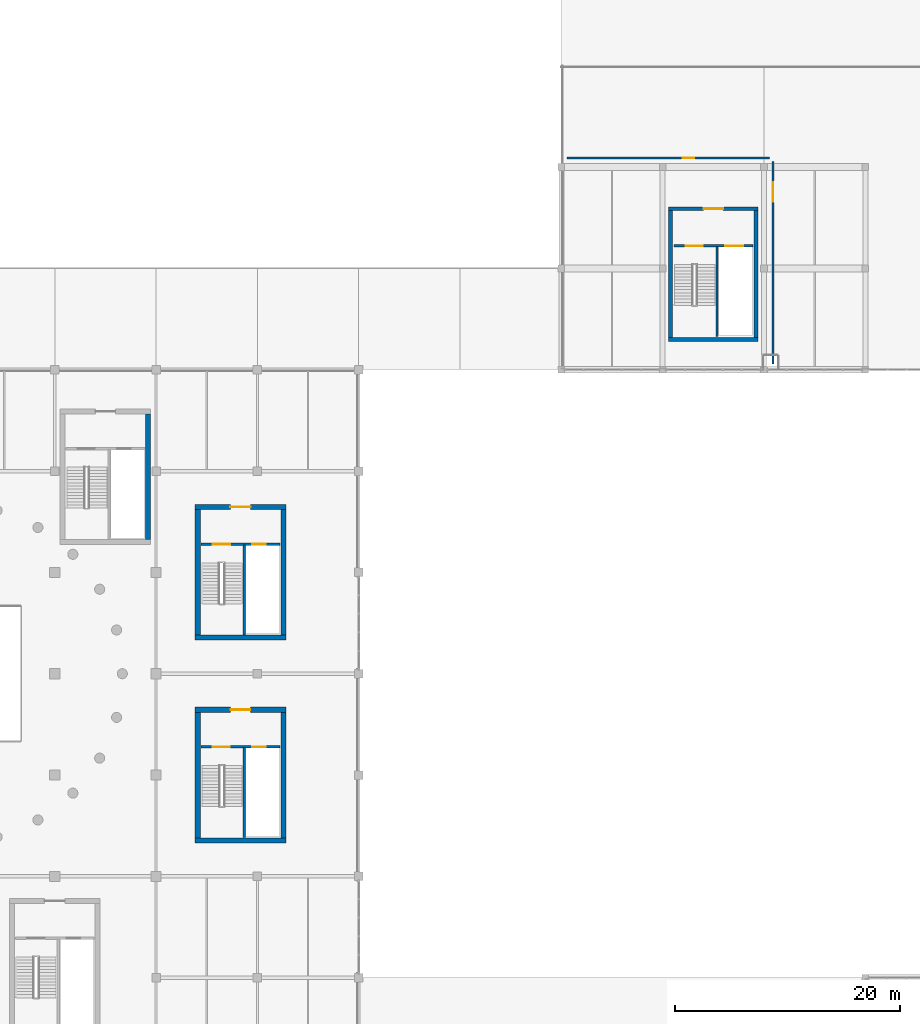
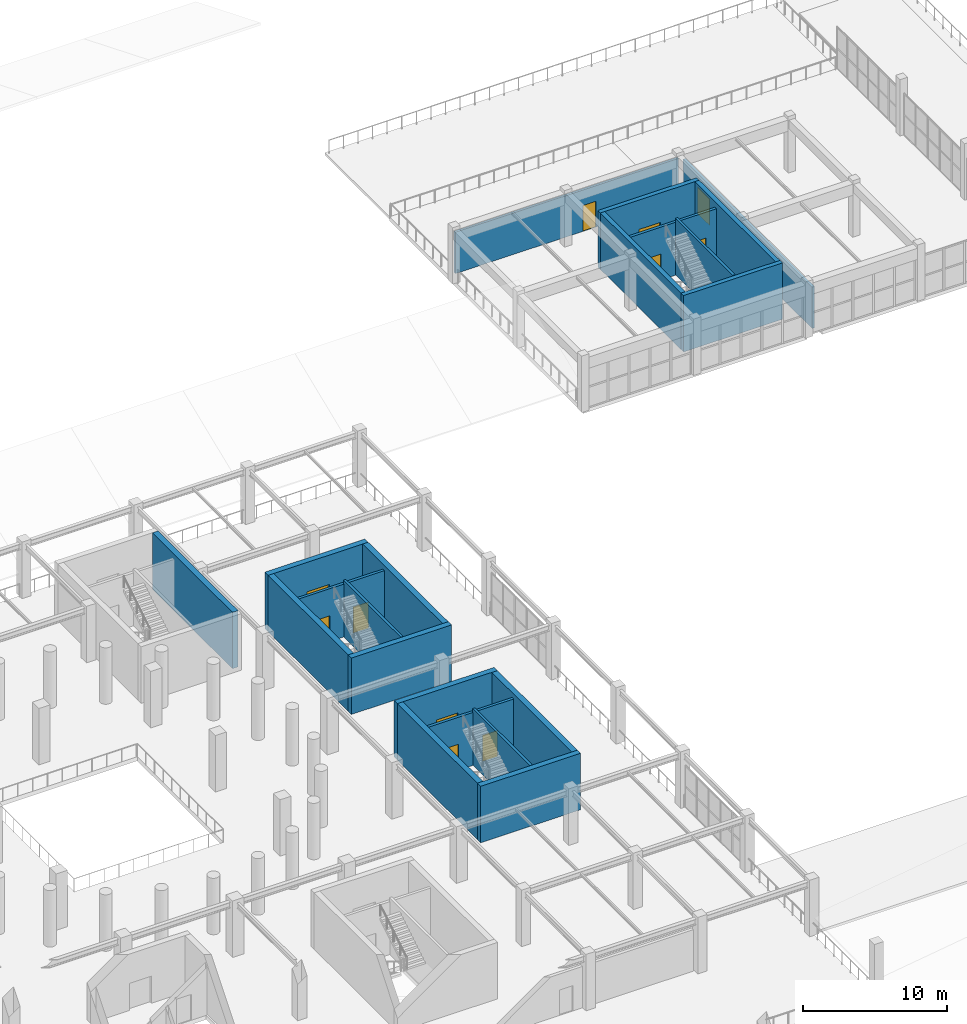
# One storey, part 65 of 89: 21 walls, 11 doors, 11 openings.
"""IFC4 building model written with IfcOpenShell, lengths in metres."""

from ifc_helpers import new_model, si_unit, direction, frame, frame_2d, origin, place, context, subcontext, project, spatial, rectangle, extrude, material, layer, layer_set, type_object, element, fill, save


model = new_model("IFC4")

# Units and contexts
model_context = context("Model", 3, precision=1e-05, world=origin(), true_north=direction((0.0, 1.0)))
body_context = subcontext(model_context, "Body", "Model", "MODEL_VIEW")
ifc_project = project(units=[si_unit("LENGTHUNIT", "METRE"), si_unit("AREAUNIT", "SQUARE_METRE"), si_unit("VOLUMEUNIT", "CUBIC_METRE"), si_unit("PLANEANGLEUNIT", "RADIAN"), si_unit("MASSUNIT", "GRAM", prefix="KILO")], contexts=[model_context])

# Site, building, storey
site_placement = place(None, origin())
site = spatial("IfcSite", under=ifc_project, at=site_placement, CompositionType="ELEMENT")
building_placement = place(site_placement, origin())
building = spatial("IfcBuilding", under=site, at=building_placement, Name="Dornveld Trade and Exhibition Forum", CompositionType="ELEMENT")
storey_placement = place(building_placement, frame((0.0, 0.0, 12.0)))
storey = spatial("IfcBuildingStorey", under=building, at=storey_placement, Name="L02", CompositionType="ELEMENT", Elevation=12.0)

# Wall
ifc_material_1 = material(Name="Concrete C40/50", Category="concrete")
ifc_layer_1 = layer(ifc_material_1, 0.35009765625)
ifc_layer_set_1 = layer_set([ifc_layer_1], Name="Concrete C40/50")
wall_type_1 = type_object("IfcWallType", Name="WL-CORE-350", PredefinedType="SHEAR", material=ifc_layer_set_1)
wall_1_placement = place(storey_placement, frame((180.52490234375, 110.699951171875, 0.0), z_axis=(0.0, 0.0, 1.0), x_axis=(1.0, 0.0, 0.0)))
element("IfcWall", 1, at=wall_1_placement, inside=storey, type_object=wall_type_1, Name="CORE-12 L02 shear wall S", PredefinedType="SHEAR", context=body_context, shape_type="SweptSolid", body=[
    extrude(rectangle(XDim=7.9501953125, YDim=0.35009765625, at=frame_2d((3.97509765625, 0.0))), origin(), (0.0, 0.0, 1.0), 4.800048828125),
])

# Wall, opening, door
wall_2_placement = place(storey_placement, frame((180.52490234375, 122.300048828125, 0.0), z_axis=(0.0, 0.0, 1.0), x_axis=(1.0, 0.0, 0.0)))
wall_2 = element("IfcWall", 2, at=wall_2_placement, inside=storey, type_object=wall_type_1, Name="CORE-12 L02 shear wall N", PredefinedType="SHEAR", context=body_context, shape_type="SweptSolid", body=[
    extrude(rectangle(XDim=7.9501953125, YDim=0.35009765625, at=frame_2d((3.97509765625, 0.0))), origin(), (0.0, 0.0, 1.0), 4.800048828125),
])
opening_1_placement = place(wall_2_placement, frame((3.10009765625, 0.0, 0.0)))
opening_1 = element("IfcOpeningElement", 3, at=opening_1_placement, cuts=wall_2, Name="Opening CD-12-L02", PredefinedType="OPENING", context=body_context, shape_type="SweptSolid", body=[
    extrude(rectangle(XDim=1.75, YDim=2.300048828125, at=frame_2d((0.875, 1.14990234375))), frame((0.0, 0.18505859375, 0.0), z_axis=(0.0, -1.0, 0.0), x_axis=(1.0, 0.0, 0.0)), (0.0, 0.0, 1.0), 0.3701171875),
])
ifc_material_2 = material(Name="Steel fire-rated double door assembly", Category="steel")
door_type_1 = type_object("IfcDoorType", Name="DR-CORE-175x230", OperationType="NOTDEFINED", PredefinedType="DOOR", material=ifc_material_2)
door_1_placement = place(opening_1_placement, origin())
door_1 = element("IfcDoor", 4, at=door_1_placement, inside=storey, type_object=door_type_1, Name="CORE-12 L02 core lobby double fire door", OperationType="DOUBLE_DOOR_SINGLE_SWING", OverallHeight=2.300048828125, OverallWidth=1.75, PredefinedType="DOOR", context=body_context, shape_type="SweptSolid", body=[
    extrude(rectangle(XDim=1.75, YDim=2.300048828125, at=frame_2d((0.875, 1.14990234375))), frame((0.0, 0.02490234375, 0.0), z_axis=(0.0, -1.0, 0.0), x_axis=(1.0, 0.0, 0.0)), (0.0, 0.0, 1.0), 0.050048828125),
])
fill(opening_1, door_1)

# Walls
for number, where, z_axis, x_axis, name in (
    (5, (180.699951171875, 110.875, 0.0), (0.0, 0.0, 1.0), (0.0, 1.0, 0.0), "CORE-12 L02 shear wall W"),
    (6, (188.300048828125, 110.875, 0.0), (0.0, 0.0, 1.0), (0.0, 1.0, 0.0), "CORE-12 L02 shear wall E"),
):
    element("IfcWall", number, at=place(storey_placement, frame(where, z_axis=z_axis, x_axis=x_axis)), inside=storey, type_object=wall_type_1, Name=name, PredefinedType="SHEAR", context=body_context, shape_type="SweptSolid", body=[
        extrude(rectangle(XDim=11.25, YDim=0.35009765625, at=frame_2d((5.625, 0.0))), origin(), (0.0, 0.0, 1.0), 4.800048828125),
    ])
ifc_material_3 = material(Name="Concrete C40/50", Category="concrete")
ifc_layer_2 = layer(ifc_material_3, 0.449951171875)
ifc_layer_set_2 = layer_set([ifc_layer_2], Name="Concrete C40/50")
wall_type_2 = type_object("IfcWallType", Name="WL-CORE-450", PredefinedType="SHEAR", material=ifc_layer_set_2)
wall_3_placement = place(storey_placement, frame((138.47509765625, 84.199951171875, 0.0), z_axis=(0.0, 0.0, 1.0), x_axis=(1.0, 0.0, 0.0)))
element("IfcWall", 7, at=wall_3_placement, inside=storey, type_object=wall_type_2, Name="CORE-01 L02 shear wall S", PredefinedType="SHEAR", context=body_context, shape_type="SweptSolid", body=[
    extrude(rectangle(XDim=8.0498046875, YDim=0.449951171875, at=frame_2d((4.02490234375, 0.0))), origin(), (0.0, 0.0, 1.0), 4.800048828125),
])

# Wall, opening, door
wall_4_placement = place(storey_placement, frame((138.47509765625, 95.800048828125, 0.0), z_axis=(0.0, 0.0, 1.0), x_axis=(1.0, 0.0, 0.0)))
wall_4 = element("IfcWall", 8, at=wall_4_placement, inside=storey, type_object=wall_type_2, Name="CORE-01 L02 shear wall N", PredefinedType="SHEAR", context=body_context, shape_type="SweptSolid", body=[
    extrude(rectangle(XDim=8.0498046875, YDim=0.449951171875, at=frame_2d((4.02490234375, 0.0))), origin(), (0.0, 0.0, 1.0), 4.800048828125),
])
opening_2_placement = place(wall_4_placement, frame((3.125, 0.0, 0.0)))
opening_2 = element("IfcOpeningElement", 9, at=opening_2_placement, cuts=wall_4, Name="Opening CD-01-L02", PredefinedType="OPENING", context=body_context, shape_type="SweptSolid", body=[
    extrude(rectangle(XDim=1.800048828125, YDim=2.300048828125, at=frame_2d((0.89990234375, 1.14990234375))), frame((0.0, 0.23486328125, 0.0), z_axis=(0.0, -1.0, 0.0), x_axis=(1.0, 0.0, 0.0)), (0.0, 0.0, 1.0), 0.469970703125),
])
ifc_material_4 = material(Name="Steel fire-rated double door assembly", Category="steel")
door_type_2 = type_object("IfcDoorType", Name="DR-CORE-180x230", OperationType="NOTDEFINED", PredefinedType="DOOR", material=ifc_material_4)
door_2_placement = place(opening_2_placement, origin())
door_2 = element("IfcDoor", 10, at=door_2_placement, inside=storey, type_object=door_type_2, Name="CORE-01 L02 core lobby double fire door", OperationType="DOUBLE_DOOR_SINGLE_SWING", OverallHeight=2.300048828125, OverallWidth=1.800048828125, PredefinedType="DOOR", context=body_context, shape_type="SweptSolid", body=[
    extrude(rectangle(XDim=1.800048828125, YDim=2.300048828125, at=frame_2d((0.89990234375, 1.14990234375))), frame((0.0, 0.02490234375, 0.0), z_axis=(0.0, -1.0, 0.0), x_axis=(1.0, 0.0, 0.0)), (0.0, 0.0, 1.0), 0.050048828125),
])
fill(opening_2, door_2)

# Walls
for number, where, z_axis, x_axis, name in (
    (11, (138.699951171875, 84.425048828125, 0.0), (0.0, 0.0, 1.0), (0.0, 1.0, 0.0), "CORE-01 L02 shear wall W"),
    (12, (146.300048828125, 84.425048828125, 0.0), (0.0, 0.0, 1.0), (0.0, 1.0, 0.0), "CORE-01 L02 shear wall E"),
    (13, (134.300048828125, 92.925048828125, 0.0), (0.0, 0.0, 1.0), (0.0, 1.0, 0.0), "CORE-02 L02 shear wall E"),
):
    element("IfcWall", number, at=place(storey_placement, frame(where, z_axis=z_axis, x_axis=x_axis)), inside=storey, type_object=wall_type_2, Name=name, PredefinedType="SHEAR", context=body_context, shape_type="SweptSolid", body=[
        extrude(rectangle(XDim=11.14990234375, YDim=0.449951171875, at=frame_2d((5.574951171875, 0.0))), origin(), (0.0, 0.0, 1.0), 4.800048828125),
    ])
wall_5_placement = place(storey_placement, frame((138.47509765625, 66.199951171875, 0.0), z_axis=(0.0, 0.0, 1.0), x_axis=(1.0, 0.0, 0.0)))
element("IfcWall", 14, at=wall_5_placement, inside=storey, type_object=wall_type_2, Name="CORE-08 L02 shear wall S", PredefinedType="SHEAR", context=body_context, shape_type="SweptSolid", body=[
    extrude(rectangle(XDim=8.0498046875, YDim=0.449951171875, at=frame_2d((4.02490234375, 0.0))), origin(), (0.0, 0.0, 1.0), 4.800048828125),
])

# Wall, opening, door
wall_6_placement = place(storey_placement, frame((138.47509765625, 77.800048828125, 0.0), z_axis=(0.0, 0.0, 1.0), x_axis=(1.0, 0.0, 0.0)))
wall_6 = element("IfcWall", 15, at=wall_6_placement, inside=storey, type_object=wall_type_2, Name="CORE-08 L02 shear wall N", PredefinedType="SHEAR", context=body_context, shape_type="SweptSolid", body=[
    extrude(rectangle(XDim=8.0498046875, YDim=0.449951171875, at=frame_2d((4.02490234375, 0.0))), origin(), (0.0, 0.0, 1.0), 4.800048828125),
])
opening_3_placement = place(wall_6_placement, frame((3.14990234375, 0.0, 0.0)))
opening_3 = element("IfcOpeningElement", 16, at=opening_3_placement, cuts=wall_6, Name="Opening CD-08-L02", PredefinedType="OPENING", context=body_context, shape_type="SweptSolid", body=[
    extrude(rectangle(XDim=1.75, YDim=2.300048828125, at=frame_2d((0.875, 1.14990234375))), frame((0.0, 0.23486328125, 0.0), z_axis=(0.0, -1.0, 0.0), x_axis=(1.0, 0.0, 0.0)), (0.0, 0.0, 1.0), 0.469970703125),
])
door_3_placement = place(opening_3_placement, origin())
door_3 = element("IfcDoor", 17, at=door_3_placement, inside=storey, type_object=door_type_1, Name="CORE-08 L02 core lobby double fire door", OperationType="DOUBLE_DOOR_SINGLE_SWING", OverallHeight=2.300048828125, OverallWidth=1.75, PredefinedType="DOOR", context=body_context, shape_type="SweptSolid", body=[
    extrude(rectangle(XDim=1.75, YDim=2.300048828125, at=frame_2d((0.875, 1.14990234375))), frame((0.0, 0.02490234375, 0.0), z_axis=(0.0, -1.0, 0.0), x_axis=(1.0, 0.0, 0.0)), (0.0, 0.0, 1.0), 0.050048828125),
])
fill(opening_3, door_3)

# Walls
for number, where, z_axis, x_axis, name in (
    (18, (138.699951171875, 66.425048828125, 0.0), (0.0, 0.0, 1.0), (0.0, 1.0, 0.0), "CORE-08 L02 shear wall W"),
    (19, (146.300048828125, 66.425048828125, 0.0), (0.0, 0.0, 1.0), (0.0, 1.0, 0.0), "CORE-08 L02 shear wall E"),
):
    element("IfcWall", number, at=place(storey_placement, frame(where, z_axis=z_axis, x_axis=x_axis)), inside=storey, type_object=wall_type_2, Name=name, PredefinedType="SHEAR", context=body_context, shape_type="SweptSolid", body=[
        extrude(rectangle(XDim=11.14990234375, YDim=0.449951171875, at=frame_2d((5.574951171875, 0.0))), origin(), (0.0, 0.0, 1.0), 4.800048828125),
    ])

# Wall, opening, door
ifc_material_5 = material(Name="Fire-rated steel-stud gypsum board", Category="steel")
ifc_layer_3 = layer(ifc_material_5, 0.169921875)
ifc_layer_set_3 = layer_set([ifc_layer_3], Name="Fire-rated steel-stud gypsum board")
wall_type_3 = type_object("IfcWallType", Name="WL-INT-FR170", PredefinedType="PARTITIONING", material=ifc_layer_set_3)
wall_7_placement = place(storey_placement, frame((171.52001953125, 126.800048828125, 0.0), z_axis=(0.0, 0.0, 1.0), x_axis=(1.0, 0.0, 0.0)))
wall_7 = element("IfcWall", 20, at=wall_7_placement, inside=storey, type_object=wall_type_3, Name="L02 interior partition 66", PredefinedType="PARTITIONING", context=body_context, shape_type="SweptSolid", body=[
    extrude(rectangle(XDim=17.9599609375, YDim=0.169921875, at=frame_2d((8.97998046875, 0.0))), origin(), (0.0, 0.0, 1.0), 3.52001953125),
])
opening_4_placement = place(wall_7_placement, frame((10.2509765625, 0.0, 0.0)))
opening_4 = element("IfcOpeningElement", 21, at=opening_4_placement, cuts=wall_7, Name="Opening OD-03-042", PredefinedType="OPENING", context=body_context, shape_type="SweptSolid", body=[
    extrude(rectangle(XDim=1.050048828125, YDim=2.199951171875, at=frame_2d((0.52490234375, 1.10009765625))), frame((0.0, 0.094970703125, 0.0), z_axis=(0.0, -1.0, 0.0), x_axis=(1.0, 0.0, 0.0)), (0.0, 0.0, 1.0), 0.18994140625),
])
ifc_material_6 = material(Name="Solid-core hardwood office door", Category="wood")
door_type_3 = type_object("IfcDoorType", Name="DR-OFF-105x220", OperationType="NOTDEFINED", PredefinedType="DOOR", material=ifc_material_6)
door_4_placement = place(opening_4_placement, origin())
door_4 = element("IfcDoor", 22, at=door_4_placement, inside=storey, type_object=door_type_3, Name="L02 interior room door 42", OperationType="SINGLE_SWING_RIGHT", OverallHeight=2.199951171875, OverallWidth=1.050048828125, PredefinedType="DOOR", context=body_context, shape_type="SweptSolid", body=[
    extrude(rectangle(XDim=1.050048828125, YDim=2.199951171875, at=frame_2d((0.52490234375, 1.10009765625))), frame((0.0, 0.02490234375, 0.0), z_axis=(0.0, -1.0, 0.0), x_axis=(1.0, 0.0, 0.0)), (0.0, 0.0, 1.0), 0.050048828125),
])
fill(opening_4, door_4)

ifc_material_7 = material(Name="Fire-rated steel-stud gypsum board", Category="steel")
ifc_layer_4 = layer(ifc_material_7, 0.18505859375)
ifc_layer_set_4 = layer_set([ifc_layer_4], Name="Fire-rated steel-stud gypsum board")
wall_type_4 = type_object("IfcWallType", Name="WL-INT-FR185", PredefinedType="PARTITIONING", material=ifc_layer_set_4)
wall_8_placement = place(storey_placement, frame((189.800048828125, 108.52001953125, 0.0), z_axis=(0.0, 0.0, 1.0), x_axis=(0.0, 1.0, 0.0)))
wall_8 = element("IfcWall", 23, at=wall_8_placement, inside=storey, type_object=wall_type_4, Name="L02 interior partition 65", PredefinedType="PARTITIONING", context=body_context, shape_type="SweptSolid", body=[
    extrude(rectangle(XDim=17.9599609375, YDim=0.18505859375, at=frame_2d((8.97998046875, 0.0))), origin(), (0.0, 0.0, 1.0), 3.52001953125),
])
opening_5_placement = place(wall_8_placement, frame((14.416015625, 0.0, 0.0)))
opening_5 = element("IfcOpeningElement", 24, at=opening_5_placement, cuts=wall_8, Name="Opening MRD-02-041", PredefinedType="OPENING", context=body_context, shape_type="SweptSolid", body=[
    extrude(rectangle(XDim=1.699951171875, YDim=2.25, at=frame_2d((0.85009765625, 1.125))), frame((0.0, 0.1025390625, 0.0), z_axis=(0.0, -1.0, 0.0), x_axis=(1.0, 0.0, 0.0)), (0.0, 0.0, 1.0), 0.205078125),
])
ifc_material_8 = material(Name="Acoustic timber meeting-room double door", Category="wood")
door_type_4 = type_object("IfcDoorType", Name="DR-MEET-170x225", OperationType="NOTDEFINED", PredefinedType="DOOR", material=ifc_material_8)
door_5_placement = place(opening_5_placement, origin())
door_5 = element("IfcDoor", 25, at=door_5_placement, inside=storey, type_object=door_type_4, Name="L02 interior room door 41", OperationType="DOUBLE_DOOR_SINGLE_SWING", OverallHeight=2.25, OverallWidth=1.699951171875, PredefinedType="DOOR", context=body_context, shape_type="SweptSolid", body=[
    extrude(rectangle(XDim=1.699951171875, YDim=2.25, at=frame_2d((0.85009765625, 1.125))), frame((0.0, 0.02490234375, 0.0), z_axis=(0.0, -1.0, 0.0), x_axis=(1.0, 0.0, 0.0)), (0.0, 0.0, 1.0), 0.050048828125),
])
fill(opening_5, door_5)

# Wall, openings, doors
ifc_material_9 = material(Name="Concrete C40/50", Category="concrete")
ifc_layer_5 = layer(ifc_material_9, 0.219970703125)
ifc_layer_set_5 = layer_set([ifc_layer_5], Name="Concrete C40/50")
wall_type_5 = type_object("IfcWallType", Name="WL-INT-LOB220", PredefinedType="SOLIDWALL", material=ifc_layer_set_5)
wall_9_placement = place(storey_placement, frame((139.0, 92.5, 0.0), z_axis=(0.0, 0.0, 1.0), x_axis=(1.0, 0.0, 0.0)))
wall_9 = element("IfcWall", 26, at=wall_9_placement, inside=storey, type_object=wall_type_5, Name="CORE-01 L02 protected lobby bulkhead wall", PredefinedType="SOLIDWALL", context=body_context, shape_type="SweptSolid", body=[
    extrude(rectangle(XDim=7.0, YDim=0.219970703125, at=frame_2d((3.5, 0.0))), origin(), (0.0, 0.0, 1.0), 4.5),
])
opening_6_placement = place(wall_9_placement, frame((1.050048828125, 0.0, 0.0)))
opening_6 = element("IfcOpeningElement", 27, at=opening_6_placement, cuts=wall_9, Name="Opening SD-01-L02", PredefinedType="OPENING", context=body_context, shape_type="SweptSolid", body=[
    extrude(rectangle(XDim=1.550048828125, YDim=2.199951171875, at=frame_2d((0.77490234375, 1.10009765625))), frame((0.0, 0.119873046875, 0.0), z_axis=(0.0, -1.0, 0.0), x_axis=(1.0, 0.0, 0.0)), (0.0, 0.0, 1.0), 0.239990234375),
])
opening_7_placement = place(wall_9_placement, frame((4.550048828125, 0.0, 0.0)))
opening_7 = element("IfcOpeningElement", 28, at=opening_7_placement, cuts=wall_9, Name="Opening LD-01-L02", PredefinedType="OPENING", context=body_context, shape_type="SweptSolid", body=[
    extrude(rectangle(XDim=1.199951171875, YDim=2.199951171875, at=frame_2d((0.60009765625, 1.10009765625))), frame((0.0, 0.119873046875, 0.0), z_axis=(0.0, -1.0, 0.0), x_axis=(1.0, 0.0, 0.0)), (0.0, 0.0, 1.0), 0.239990234375),
])
ifc_material_10 = material(Name="Brushed stainless steel sliding lift landing door", Category="steel")
door_type_5 = type_object("IfcDoorType", Name="DR-LIFT-120x220", OperationType="NOTDEFINED", PredefinedType="DOOR", material=ifc_material_10)
door_6_placement = place(opening_7_placement, origin())
door_6 = element("IfcDoor", 29, at=door_6_placement, inside=storey, type_object=door_type_5, Name="CORE-01 L02 lift sliding landing door", OperationType="SLIDING_TO_LEFT", OverallHeight=2.199951171875, OverallWidth=1.199951171875, PredefinedType="DOOR", context=body_context, shape_type="SweptSolid", body=[
    extrude(rectangle(XDim=1.199951171875, YDim=2.199951171875, at=frame_2d((0.60009765625, 1.10009765625))), frame((0.0, 0.02490234375, 0.0), z_axis=(0.0, -1.0, 0.0), x_axis=(1.0, 0.0, 0.0)), (0.0, 0.0, 1.0), 0.050048828125),
])
fill(opening_7, door_6)
ifc_material_11 = material(Name="Steel fire-rated stair door assembly", Category="steel")
door_type_6 = type_object("IfcDoorType", Name="DR-STAIR-155x220", OperationType="NOTDEFINED", PredefinedType="DOOR", material=ifc_material_11)
door_7_placement = place(opening_6_placement, origin())
door_7 = element("IfcDoor", 30, at=door_7_placement, inside=storey, type_object=door_type_6, Name="CORE-01 L02 protected stair door", OperationType="SINGLE_SWING_LEFT", OverallHeight=2.199951171875, OverallWidth=1.550048828125, PredefinedType="DOOR", context=body_context, shape_type="SweptSolid", body=[
    extrude(rectangle(XDim=1.550048828125, YDim=2.199951171875, at=frame_2d((0.77490234375, 1.10009765625))), frame((0.0, 0.02490234375, 0.0), z_axis=(0.0, -1.0, 0.0), x_axis=(1.0, 0.0, 0.0)), (0.0, 0.0, 1.0), 0.050048828125),
])
fill(opening_6, door_7)

wall_10_placement = place(storey_placement, frame((139.0, 74.5, 0.0), z_axis=(0.0, 0.0, 1.0), x_axis=(1.0, 0.0, 0.0)))
wall_10 = element("IfcWall", 31, at=wall_10_placement, inside=storey, type_object=wall_type_5, Name="CORE-08 L02 protected lobby bulkhead wall", PredefinedType="SOLIDWALL", context=body_context, shape_type="SweptSolid", body=[
    extrude(rectangle(XDim=7.0, YDim=0.219970703125, at=frame_2d((3.5, 0.0))), origin(), (0.0, 0.0, 1.0), 4.5),
])
opening_8_placement = place(wall_10_placement, frame((1.050048828125, 0.0, 0.0)))
opening_8 = element("IfcOpeningElement", 32, at=opening_8_placement, cuts=wall_10, Name="Opening SD-08-L02", PredefinedType="OPENING", context=body_context, shape_type="SweptSolid", body=[
    extrude(rectangle(XDim=1.5, YDim=2.199951171875, at=frame_2d((0.75, 1.10009765625))), frame((0.0, 0.119873046875, 0.0), z_axis=(0.0, -1.0, 0.0), x_axis=(1.0, 0.0, 0.0)), (0.0, 0.0, 1.0), 0.239990234375),
])
opening_9_placement = place(wall_10_placement, frame((4.550048828125, 0.0, 0.0)))
opening_9 = element("IfcOpeningElement", 33, at=opening_9_placement, cuts=wall_10, Name="Opening LD-08-L02", PredefinedType="OPENING", context=body_context, shape_type="SweptSolid", body=[
    extrude(rectangle(XDim=1.199951171875, YDim=2.199951171875, at=frame_2d((0.60009765625, 1.10009765625))), frame((0.0, 0.119873046875, 0.0), z_axis=(0.0, -1.0, 0.0), x_axis=(1.0, 0.0, 0.0)), (0.0, 0.0, 1.0), 0.239990234375),
])
door_8_placement = place(opening_9_placement, origin())
door_8 = element("IfcDoor", 34, at=door_8_placement, inside=storey, type_object=door_type_5, Name="CORE-08 L02 lift sliding landing door", OperationType="SLIDING_TO_RIGHT", OverallHeight=2.199951171875, OverallWidth=1.199951171875, PredefinedType="DOOR", context=body_context, shape_type="SweptSolid", body=[
    extrude(rectangle(XDim=1.199951171875, YDim=2.199951171875, at=frame_2d((0.60009765625, 1.10009765625))), frame((0.0, 0.02490234375, 0.0), z_axis=(0.0, -1.0, 0.0), x_axis=(1.0, 0.0, 0.0)), (0.0, 0.0, 1.0), 0.050048828125),
])
fill(opening_9, door_8)
ifc_material_12 = material(Name="Steel fire-rated stair door assembly", Category="steel")
door_type_7 = type_object("IfcDoorType", Name="DR-STAIR-150x220", OperationType="NOTDEFINED", PredefinedType="DOOR", material=ifc_material_12)
door_9_placement = place(opening_8_placement, origin())
door_9 = element("IfcDoor", 35, at=door_9_placement, inside=storey, type_object=door_type_7, Name="CORE-08 L02 protected stair door", OperationType="SINGLE_SWING_RIGHT", OverallHeight=2.199951171875, OverallWidth=1.5, PredefinedType="DOOR", context=body_context, shape_type="SweptSolid", body=[
    extrude(rectangle(XDim=1.5, YDim=2.199951171875, at=frame_2d((0.75, 1.10009765625))), frame((0.0, 0.02490234375, 0.0), z_axis=(0.0, -1.0, 0.0), x_axis=(1.0, 0.0, 0.0)), (0.0, 0.0, 1.0), 0.050048828125),
])
fill(opening_8, door_9)

wall_11_placement = place(storey_placement, frame((181.0, 119.0, 0.0), z_axis=(0.0, 0.0, 1.0), x_axis=(1.0, 0.0, 0.0)))
wall_11 = element("IfcWall", 36, at=wall_11_placement, inside=storey, type_object=wall_type_5, Name="CORE-12 L02 protected lobby bulkhead wall", PredefinedType="SOLIDWALL", context=body_context, shape_type="SweptSolid", body=[
    extrude(rectangle(XDim=7.0, YDim=0.219970703125, at=frame_2d((3.5, 0.0))), origin(), (0.0, 0.0, 1.0), 4.5),
])
opening_10_placement = place(wall_11_placement, frame((1.050048828125, 0.0, 0.0)))
opening_10 = element("IfcOpeningElement", 37, at=opening_10_placement, cuts=wall_11, Name="Opening SD-12-L02", PredefinedType="OPENING", context=body_context, shape_type="SweptSolid", body=[
    extrude(rectangle(XDim=1.5, YDim=2.199951171875, at=frame_2d((0.75, 1.10009765625))), frame((0.0, 0.119873046875, 0.0), z_axis=(0.0, -1.0, 0.0), x_axis=(1.0, 0.0, 0.0)), (0.0, 0.0, 1.0), 0.239990234375),
])
opening_11_placement = place(wall_11_placement, frame((4.550048828125, 0.0, 0.0)))
opening_11 = element("IfcOpeningElement", 38, at=opening_11_placement, cuts=wall_11, Name="Opening LD-12-L02", PredefinedType="OPENING", context=body_context, shape_type="SweptSolid", body=[
    extrude(rectangle(XDim=1.60009765625, YDim=2.300048828125, at=frame_2d((0.800048828125, 1.14990234375))), frame((0.0, 0.119873046875, 0.0), z_axis=(0.0, -1.0, 0.0), x_axis=(1.0, 0.0, 0.0)), (0.0, 0.0, 1.0), 0.239990234375),
])
ifc_material_13 = material(Name="Heavy-duty steel sliding freight lift landing door", Category="steel")
door_type_8 = type_object("IfcDoorType", Name="DR-LIFT-160x230", OperationType="NOTDEFINED", PredefinedType="DOOR", material=ifc_material_13)
door_10_placement = place(opening_11_placement, origin())
door_10 = element("IfcDoor", 39, at=door_10_placement, inside=storey, type_object=door_type_8, Name="CORE-12 L02 lift sliding landing door", OperationType="SLIDING_TO_RIGHT", OverallHeight=2.300048828125, OverallWidth=1.60009765625, PredefinedType="DOOR", context=body_context, shape_type="SweptSolid", body=[
    extrude(rectangle(XDim=1.60009765625, YDim=2.300048828125, at=frame_2d((0.800048828125, 1.14990234375))), frame((0.0, 0.02490234375, 0.0), z_axis=(0.0, -1.0, 0.0), x_axis=(1.0, 0.0, 0.0)), (0.0, 0.0, 1.0), 0.050048828125),
])
fill(opening_11, door_10)
door_11_placement = place(opening_10_placement, origin())
door_11 = element("IfcDoor", 40, at=door_11_placement, inside=storey, type_object=door_type_7, Name="CORE-12 L02 protected stair door", OperationType="SINGLE_SWING_RIGHT", OverallHeight=2.199951171875, OverallWidth=1.5, PredefinedType="DOOR", context=body_context, shape_type="SweptSolid", body=[
    extrude(rectangle(XDim=1.5, YDim=2.199951171875, at=frame_2d((0.75, 1.10009765625))), frame((0.0, 0.02490234375, 0.0), z_axis=(0.0, -1.0, 0.0), x_axis=(1.0, 0.0, 0.0)), (0.0, 0.0, 1.0), 0.050048828125),
])
fill(opening_10, door_11)

# Walls
ifc_material_14 = material(Name="Concrete C40/50", Category="concrete")
ifc_layer_6 = layer(ifc_material_14, 0.199951171875)
ifc_layer_set_6 = layer_set([ifc_layer_6], Name="Concrete C40/50")
wall_type_6 = type_object("IfcWallType", Name="WL-INT-SHAFT200", PredefinedType="SOLIDWALL", material=ifc_layer_set_6)
for number, where, z_axis, x_axis, name in (
    (41, (142.820068359375, 84.449951171875, 0.0), (0.0, 0.0, 1.0), (0.0, 1.0, 0.0), "CORE-01 L02 lift-stair structural shaft wall"),
    (42, (142.820068359375, 66.449951171875, 0.0), (0.0, 0.0, 1.0), (0.0, 1.0, 0.0), "CORE-08 L02 lift-stair structural shaft wall"),
    (43, (184.820068359375, 110.949951171875, 0.0), (0.0, 0.0, 1.0), (0.0, 1.0, 0.0), "CORE-12 L02 lift-stair structural shaft wall"),
):
    element("IfcWall", number, at=place(storey_placement, frame(where, z_axis=z_axis, x_axis=x_axis)), inside=storey, type_object=wall_type_6, Name=name, PredefinedType="SOLIDWALL", context=body_context, shape_type="SweptSolid", body=[
        extrude(rectangle(XDim=8.0, YDim=0.199951171875, at=frame_2d((4.0, 0.0))), origin(), (0.0, 0.0, 1.0), 4.800048828125),
    ])

save(model, "model.ifc")
